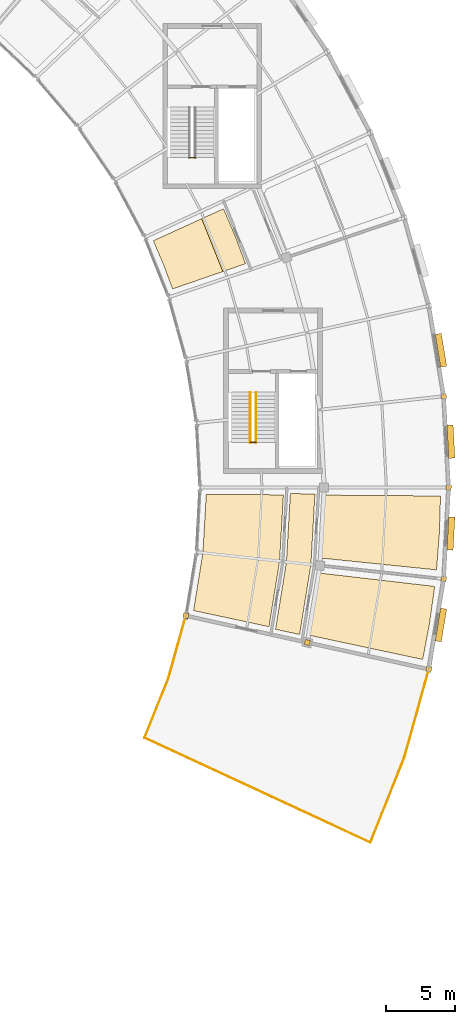
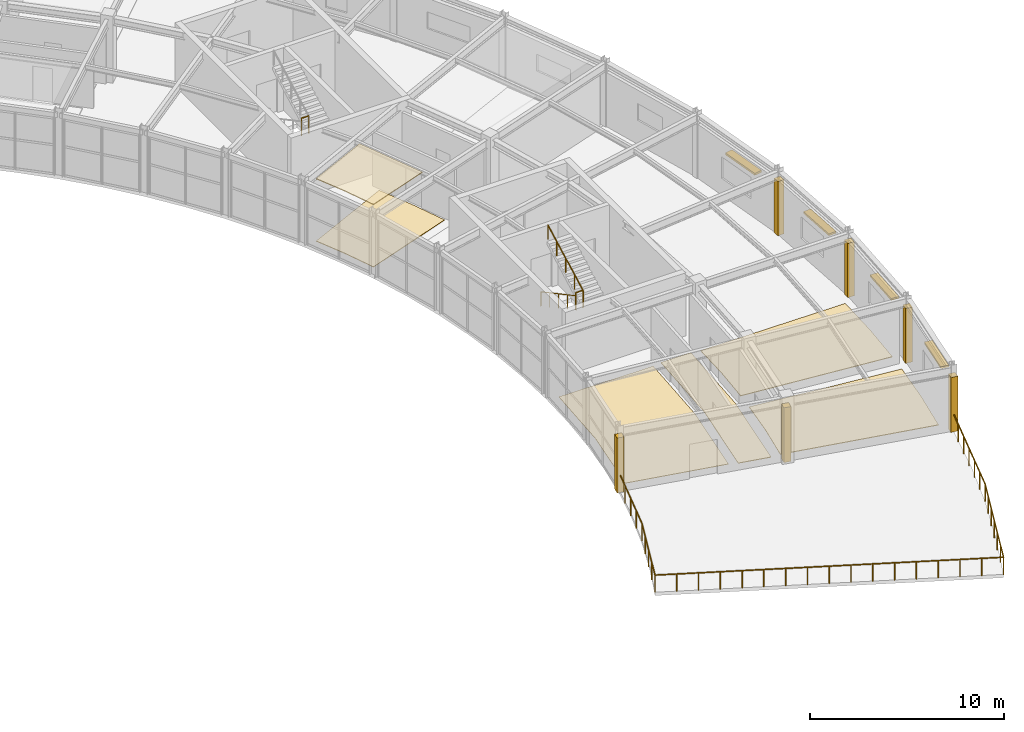
# One storey, part 62 of 63: 12 coverings, 9 railings, 4 shading devices.
"""IFC4 building model written with IfcOpenShell, lengths in metres."""

from ifc_helpers import new_model, si_unit, direction, frame, origin, origin_2d, place, context, subcontext, project, spatial, polyline, rectangle, circle, outline, extrude, material, layer, layer_set, type_object, element, save


model = new_model("IFC4")

# Units and contexts
model_context = context("Model", 3, precision=1e-05, world=origin(), true_north=direction((0.0, 1.0)))
body_context = subcontext(model_context, "Body", "Model", "MODEL_VIEW")
ifc_project = project(units=[si_unit("LENGTHUNIT", "METRE"), si_unit("AREAUNIT", "SQUARE_METRE"), si_unit("VOLUMEUNIT", "CUBIC_METRE"), si_unit("PLANEANGLEUNIT", "RADIAN"), si_unit("MASSUNIT", "GRAM", prefix="KILO")], contexts=[model_context])

# Site, building, storey
site_placement = place(None, origin())
site = spatial("IfcSite", under=ifc_project, at=site_placement, CompositionType="ELEMENT")
building_placement = place(site_placement, origin())
building = spatial("IfcBuilding", under=site, at=building_placement, Name="Tarnveldt Headland Concert Hall", CompositionType="ELEMENT")
storey_placement = place(building_placement, frame((0.0, 0.0, 14.39990234375)))
storey = spatial("IfcBuildingStorey", under=building, at=storey_placement, Name="L03", CompositionType="ELEMENT", Elevation=14.39990234375)

# Coverings
ifc_material_1 = material(Name="Micro-perforated mvule acoustic ceiling panel", Category="timber")
ifc_layer_1 = layer(ifc_material_1, 0.050048828125, Name="Micro-perforated mvule acoustic ceiling panel", Category="timber")
ifc_layer_set_1 = layer_set([ifc_layer_1], Name="Micro-perforated mvule acoustic ceiling panel")
covering_type_1 = type_object("IfcCoveringType", Name="CV-CEIL50", PredefinedType="CEILING", material=ifc_layer_set_1)
covering_1_placement = place(storey_placement, frame((0.0, 0.0, 3.91015625)))
element("IfcCovering", 1, at=covering_1_placement, inside=storey, type_object=covering_type_1, Name="Acoustic mvule ceiling L03-24-318", PredefinedType="CEILING", context=body_context, shape_type="SweptSolid", body=[
    extrude(outline(polyline([(157.87841796875, 76.12744140625), (157.875244140625, 76.13525390625), (157.139404296875, 77.857666015625), (160.63720703125, 79.450927734375), (162.16455078125, 75.627685546875), (158.531982421875, 74.372314453125), (157.87841796875, 76.12744140625)])), origin(), (0.0, 0.0, 1.0), 0.050048828125),
])
ifc_material_2 = material(Name="Treated East African mvule hardwood", Category="wood")
ifc_layer_2 = layer(ifc_material_2, 0.028076171875, Name="Treated East African mvule hardwood", Category="wood")
ifc_layer_set_2 = layer_set([ifc_layer_2], Name="Treated East African mvule hardwood")
covering_type_2 = type_object("IfcCoveringType", Name="CV-FLOR28", PredefinedType="FLOORING", material=ifc_layer_set_2)
covering_2_placement = place(storey_placement, origin())
element("IfcCovering", 2, at=covering_2_placement, inside=storey, type_object=covering_type_2, Name="Architectural flooring L03-23-109", PredefinedType="FLOORING", context=body_context, shape_type="SweptSolid", body=[
    extrude(outline(polyline([(160.0517578125, 51.10498046875), (160.72265625, 55.2783203125), (160.724609375, 55.29638671875), (160.96875, 59.5166015625), (166.548095703125, 59.4775390625), (166.270751953125, 54.6826171875), (165.50830078125, 49.940673828125), (160.0517578125, 51.10498046875)])), origin(), (0.0, 0.0, 1.0), 0.028076171875),
])
ifc_material_3 = material(Name="Polished coral-aggregate cementitious terrazzo flooring", Category="concrete")
ifc_layer_3 = layer(ifc_material_3, 0.034912109375, Name="Polished coral-aggregate cementitious terrazzo flooring", Category="concrete")
ifc_layer_set_3 = layer_set([ifc_layer_3], Name="Polished coral-aggregate cementitious terrazzo flooring")
covering_type_3 = type_object("IfcCoveringType", Name="CV-FLOR35", PredefinedType="FLOORING", material=ifc_layer_set_3)
covering_3_placement = place(storey_placement, origin())
element("IfcCovering", 3, at=covering_3_placement, inside=storey, type_object=covering_type_3, Name="Architectural flooring L03-20-107", PredefinedType="FLOORING", context=body_context, shape_type="SweptSolid", body=[
    extrude(outline(polyline([(165.97998046875, 49.751708984375), (166.766845703125, 54.619384765625), (166.768798828125, 54.6376953125), (167.04931640625, 59.560546875), (168.828857421875, 59.55126953125), (168.537353515625, 54.435546875), (167.719482421875, 49.377197265625), (165.97998046875, 49.751708984375)])), origin(), (0.0, 0.0, 1.0), 0.03515625),
])
covering_4_placement = place(storey_placement, origin())
element("IfcCovering", 4, at=covering_4_placement, inside=storey, type_object=covering_type_3, Name="Architectural flooring L03-24-110", PredefinedType="FLOORING", context=body_context, shape_type="SweptSolid", body=[
    extrude(outline(polyline([(158.531982421875, 74.372314453125), (157.87841796875, 76.12744140625), (157.875244140625, 76.13525390625), (157.139404296875, 77.857666015625), (162.21728515625, 80.170654296875), (163.05859375, 78.20166015625), (163.8056640625, 76.195068359375), (158.531982421875, 74.372314453125)])), origin(), (0.0, 0.0, 1.0), 0.03515625),
])
covering_5_placement = place(storey_placement, origin())
element("IfcCovering", 5, at=covering_5_placement, inside=storey, type_object=covering_type_3, Name="Architectural flooring L03-26-112", PredefinedType="FLOORING", context=body_context, shape_type="SweptSolid", body=[
    extrude(outline(polyline([(168.251708984375, 49.355224609375), (168.672607421875, 51.585205078125), (168.674072265625, 51.593505859375), (168.989013671875, 53.841064453125), (177.491943359375, 52.85400390625), (177.1201171875, 50.201171875), (176.623291015625, 47.569091796875), (168.251708984375, 49.355224609375)])), origin(), (0.0, 0.0, 1.0), 0.03515625),
])
covering_6_placement = place(storey_placement, origin())
element("IfcCovering", 6, at=covering_6_placement, inside=storey, type_object=covering_type_3, Name="Architectural flooring L03-27-113", PredefinedType="FLOORING", context=body_context, shape_type="SweptSolid", body=[
    extrude(outline(polyline([(169.1064453125, 54.918701171875), (169.283203125, 57.18115234375), (169.28369140625, 57.189697265625), (169.353271484375, 59.4580078125), (177.912841796875, 59.398193359375), (177.830810546875, 56.720947265625), (177.622314453125, 54.05029296875), (169.1064453125, 54.918701171875)])), origin(), (0.0, 0.0, 1.0), 0.03515625),
])
ifc_material_4 = material(Name="Coral-toned precast concrete C40/50", Category="concrete")
ifc_layer_4 = layer(ifc_material_4, 0.360107421875, Name="Coral-toned precast concrete C40/50", Category="concrete")
ifc_layer_set_4 = layer_set([ifc_layer_4], Name="Coral-toned precast concrete C40/50")
covering_type_4 = type_object("IfcCoveringType", Name="CV-JNT360", PredefinedType="CLADDING", material=ifc_layer_set_4)
for number, where, z_axis, x_axis, name in (
    (7, (159.48974609375, 50.73388671875, 0.0), (0.0, 0.0, 1.0), (-0.976522126798, 0.215417120661, 0.0), "Precast facade joint closure pilaster L03-321"),
    (8, (168.2783203125, 48.79443359375, 0.0), (0.0, 0.0, 1.0), (-0.976522126798, 0.215417120661, 0.0), "Precast facade joint closure pilaster L03-324"),
    (9, (177.06689453125, 46.85498046875, 0.0), (0.0, 0.0, 1.0), (-0.162120515372, -0.986770965572, 0.0), "Precast facade joint closure pilaster L03-328"),
    (10, (178.140625, 53.388427734375, 0.0), (0.0, 0.0, 1.0), (-0.162120515372, -0.986770965572, 0.0), "Precast facade joint closure pilaster L03-330"),
):
    element("IfcCovering", number, at=place(storey_placement, frame(where, z_axis=z_axis, x_axis=x_axis)), inside=storey, type_object=covering_type_4, Name=name, PredefinedType="CLADDING", context=body_context, shape_type="SweptSolid", body=[
        extrude(rectangle(XDim=0.3798828125, YDim=0.3798828125, at=origin_2d()), origin(), (0.0, 0.0, 1.0), 3.443115234375),
    ])
for number, where, z_axis, x_axis, name in (
    (11, (178.140625, 66.611572265625, 0.000244140625), (0.0, 0.0, 1.0), (0.054253089686, -0.998527216584, 0.0), "Precast facade joint closure pilaster L03-331"),
    (12, (178.5, 60.0, 0.000244140625), (0.0, 0.0, 1.0), (-0.054253089686, -0.998527216584, 0.0), "Precast facade joint closure pilaster L03-332"),
):
    element("IfcCovering", number, at=place(storey_placement, frame(where, z_axis=z_axis, x_axis=x_axis)), inside=storey, type_object=covering_type_4, Name=name, PredefinedType="CLADDING", context=body_context, shape_type="SweptSolid", body=[
        extrude(rectangle(XDim=0.3798828125, YDim=0.3798828125, at=origin_2d()), origin(), (0.0, 0.0, 1.0), 3.39794921875),
    ])

# Railings
ifc_material_5 = material(Name="Marine stainless steel", Category="steel")
ifc_layer_5 = layer(ifc_material_5, 0.074951171875, Name="Marine stainless steel", Category="steel")
ifc_layer_set_5 = layer_set([ifc_layer_5], Name="Marine stainless steel")
railing_type_1 = type_object("IfcRailingType", Name="RL-BAL110", PredefinedType="BALUSTRADE", material=ifc_layer_set_5)
railing_1_placement = place(storey_placement, frame((156.50634765625, 41.903076171875, 0.0)))
element("IfcRailing", 13, at=railing_1_placement, inside=storey, type_object=railing_type_1, Name="GUARD Crescent terrace south balustrade L03", PredefinedType="BALUSTRADE", context=body_context, shape_type="SweptSolid", body=[
    extrude(circle(Radius=0.02392578125, at=origin_2d()), frame((0.0, 0.0, 1.076171875), z_axis=(0.907122350777, -0.42086701073, 0.0), x_axis=(0.42086701073, 0.907122350777, 0.0)), (0.0, 0.0, 1.0), 18.000244140625),
    extrude(circle(Radius=0.02099609375, at=origin_2d()), origin(), (0.0, 0.0, 1.0), 1.052001953125),
    extrude(circle(Radius=0.02099609375, at=origin_2d()), frame((1.0205078125, -0.473388671875, 0.0)), (0.0, 0.0, 1.0), 1.052001953125),
    extrude(circle(Radius=0.02099609375, at=origin_2d()), frame((2.041015625, -0.947021484375, 0.0)), (0.0, 0.0, 1.0), 1.052001953125),
    extrude(circle(Radius=0.02099609375, at=origin_2d()), frame((3.0615234375, -1.42041015625, 0.0)), (0.0, 0.0, 1.0), 1.052001953125),
    extrude(circle(Radius=0.02099609375, at=origin_2d()), frame((4.08203125, -1.89404296875, 0.0)), (0.0, 0.0, 1.0), 1.052001953125),
    extrude(circle(Radius=0.02099609375, at=origin_2d()), frame((5.1025390625, -2.367431640625, 0.0)), (0.0, 0.0, 1.0), 1.052001953125),
    extrude(circle(Radius=0.02099609375, at=origin_2d()), frame((6.123046875, -2.8408203125, 0.0)), (0.0, 0.0, 1.0), 1.052001953125),
    extrude(circle(Radius=0.02099609375, at=origin_2d()), frame((7.1435546875, -3.314453125, 0.0)), (0.0, 0.0, 1.0), 1.052001953125),
    extrude(circle(Radius=0.02099609375, at=origin_2d()), frame((8.1640625, -3.787841796875, 0.0)), (0.0, 0.0, 1.0), 1.052001953125),
    extrude(circle(Radius=0.02099609375, at=origin_2d()), frame((9.184814453125, -4.26123046875, 0.0)), (0.0, 0.0, 1.0), 1.052001953125),
    extrude(circle(Radius=0.02099609375, at=origin_2d()), frame((10.205322265625, -4.73486328125, 0.0)), (0.0, 0.0, 1.0), 1.052001953125),
    extrude(circle(Radius=0.02099609375, at=origin_2d()), frame((11.225830078125, -5.208251953125, 0.0)), (0.0, 0.0, 1.0), 1.052001953125),
    extrude(circle(Radius=0.02099609375, at=origin_2d()), frame((12.246337890625, -5.681640625, 0.0)), (0.0, 0.0, 1.0), 1.052001953125),
    extrude(circle(Radius=0.02099609375, at=origin_2d()), frame((13.266845703125, -6.1552734375, 0.0)), (0.0, 0.0, 1.0), 1.052001953125),
    extrude(circle(Radius=0.02099609375, at=origin_2d()), frame((14.287353515625, -6.628662109375, 0.0)), (0.0, 0.0, 1.0), 1.052001953125),
    extrude(circle(Radius=0.02099609375, at=origin_2d()), frame((15.307861328125, -7.102294921875, 0.0)), (0.0, 0.0, 1.0), 1.052001953125),
    extrude(circle(Radius=0.02099609375, at=origin_2d()), frame((16.328369140625, -7.57568359375, 0.0)), (0.0, 0.0, 1.0), 1.052001953125),
])
railing_2_placement = place(storey_placement, frame((156.50634765625, 41.903076171875, 0.0)))
element("IfcRailing", 14, at=railing_2_placement, inside=storey, type_object=railing_type_1, Name="GUARD Crescent terrace inner balustrade L03-5", PredefinedType="BALUSTRADE", context=body_context, shape_type="SweptSolid", body=[
    extrude(circle(Radius=0.02392578125, at=origin_2d()), frame((0.0, 0.0, 1.076171875), z_axis=(0.371020883216, 0.928624522731, 0.0), x_axis=(-0.928624522731, 0.371020883216, 0.0)), (0.0, 0.0, 1.0), 4.66748046875),
    extrude(circle(Radius=0.02099609375, at=origin_2d()), origin(), (0.0, 0.0, 1.0), 1.052001953125),
    extrude(circle(Radius=0.02099609375, at=origin_2d()), frame((0.432861328125, 1.08349609375, 0.0)), (0.0, 0.0, 1.0), 1.052001953125),
    extrude(circle(Radius=0.02099609375, at=origin_2d()), frame((0.86572265625, 2.1669921875, 0.0)), (0.0, 0.0, 1.0), 1.052001953125),
    extrude(circle(Radius=0.02099609375, at=origin_2d()), frame((1.298828125, 3.250732421875, 0.0)), (0.0, 0.0, 1.0), 1.052001953125),
    extrude(circle(Radius=0.02099609375, at=origin_2d()), frame((1.731689453125, 4.334228515625, 0.0)), (0.0, 0.0, 1.0), 1.052001953125),
])
railing_3_placement = place(storey_placement, frame((172.834716796875, 34.327392578125, 0.0)))
element("IfcRailing", 15, at=railing_3_placement, inside=storey, type_object=railing_type_1, Name="GUARD Crescent terrace outer balustrade L03-5", PredefinedType="BALUSTRADE", context=body_context, shape_type="SweptSolid", body=[
    extrude(circle(Radius=0.02392578125, at=origin_2d()), frame((0.0, 0.0, 1.076171875), z_axis=(0.370996504082, 0.928634262753, 0.0), x_axis=(-0.928634262753, 0.370996504082, 0.0)), (0.0, 0.0, 1.0), 6.62158203125),
    extrude(circle(Radius=0.02099609375, at=origin_2d()), origin(), (0.0, 0.0, 1.0), 1.052001953125),
    extrude(circle(Radius=0.02099609375, at=origin_2d()), frame((0.409423828125, 1.02490234375, 0.0)), (0.0, 0.0, 1.0), 1.052001953125),
    extrude(circle(Radius=0.02099609375, at=origin_2d()), frame((0.81884765625, 2.049560546875, 0.0)), (0.0, 0.0, 1.0), 1.052001953125),
    extrude(circle(Radius=0.02099609375, at=origin_2d()), frame((1.228271484375, 3.074462890625, 0.0)), (0.0, 0.0, 1.0), 1.052001953125),
    extrude(circle(Radius=0.02099609375, at=origin_2d()), frame((1.6376953125, 4.099365234375, 0.0)), (0.0, 0.0, 1.0), 1.052001953125),
    extrude(circle(Radius=0.02099609375, at=origin_2d()), frame((2.047119140625, 5.1240234375, 0.0)), (0.0, 0.0, 1.0), 1.052001953125),
    extrude(circle(Radius=0.02099609375, at=origin_2d()), frame((2.45654296875, 6.14892578125, 0.0)), (0.0, 0.0, 1.0), 1.052001953125),
])
railing_4_placement = place(storey_placement, frame((158.238037109375, 46.2373046875, 0.0)))
element("IfcRailing", 16, at=railing_4_placement, inside=storey, type_object=railing_type_1, Name="GUARD Crescent terrace inner balustrade L03-6", PredefinedType="BALUSTRADE", context=body_context, shape_type="SweptSolid", body=[
    extrude(circle(Radius=0.02392578125, at=origin_2d()), frame((0.0, 0.0, 1.076171875), z_axis=(0.268172578135, 0.963370888255, 0.0), x_axis=(-0.963370888255, 0.268172578135, 0.0)), (0.0, 0.0, 1.0), 4.66748046875),
    extrude(circle(Radius=0.02099609375, at=origin_2d()), origin(), (0.0, 0.0, 1.0), 1.052001953125),
    extrude(circle(Radius=0.02099609375, at=origin_2d()), frame((0.31298828125, 1.1240234375, 0.0)), (0.0, 0.0, 1.0), 1.052001953125),
    extrude(circle(Radius=0.02099609375, at=origin_2d()), frame((0.6259765625, 2.248291015625, 0.0)), (0.0, 0.0, 1.0), 1.052001953125),
    extrude(circle(Radius=0.02099609375, at=origin_2d()), frame((0.938720703125, 3.37255859375, 0.0)), (0.0, 0.0, 1.0), 1.052001953125),
    extrude(circle(Radius=0.02099609375, at=origin_2d()), frame((1.251708984375, 4.49658203125, 0.0)), (0.0, 0.0, 1.0), 1.052001953125),
])
railing_5_placement = place(storey_placement, frame((175.291259765625, 40.476318359375, 0.0)))
element("IfcRailing", 17, at=railing_5_placement, inside=storey, type_object=railing_type_1, Name="GUARD Crescent terrace outer balustrade L03-6", PredefinedType="BALUSTRADE", context=body_context, shape_type="SweptSolid", body=[
    extrude(circle(Radius=0.02392578125, at=origin_2d()), frame((0.0, 0.0, 1.076171875), z_axis=(0.268174408275, 0.963370378798, 0.0), x_axis=(-0.963370378798, 0.268174408275, 0.0)), (0.0, 0.0, 1.0), 6.62109375),
    extrude(circle(Radius=0.02099609375, at=origin_2d()), origin(), (0.0, 0.0, 1.0), 1.052001953125),
    extrude(circle(Radius=0.02099609375, at=origin_2d()), frame((0.2958984375, 1.06298828125, 0.0)), (0.0, 0.0, 1.0), 1.052001953125),
    extrude(circle(Radius=0.02099609375, at=origin_2d()), frame((0.591796875, 2.126220703125, 0.0)), (0.0, 0.0, 1.0), 1.052001953125),
    extrude(circle(Radius=0.02099609375, at=origin_2d()), frame((0.8876953125, 3.189453125, 0.0)), (0.0, 0.0, 1.0), 1.052001953125),
    extrude(circle(Radius=0.02099609375, at=origin_2d()), frame((1.183837890625, 4.25244140625, 0.0)), (0.0, 0.0, 1.0), 1.052001953125),
    extrude(circle(Radius=0.02099609375, at=origin_2d()), frame((1.479736328125, 5.3154296875, 0.0)), (0.0, 0.0, 1.0), 1.052001953125),
    extrude(circle(Radius=0.02099609375, at=origin_2d()), frame((1.775634765625, 6.378662109375, 0.0)), (0.0, 0.0, 1.0), 1.052001953125),
])
ifc_layer_6 = layer(ifc_material_5, 0.06005859375, Name="Marine stainless steel", Category="steel")
ifc_layer_set_6 = layer_set([ifc_layer_6], Name="Marine stainless steel")
railing_type_2 = type_object("IfcRailingType", Name="RL-GRD110", PredefinedType="GUARDRAIL", material=ifc_layer_set_6)
railing_6_placement = place(storey_placement, frame((159.75, 83.8798828125, 2.10009765625)))
element("IfcRailing", 18, at=railing_6_placement, inside=storey, type_object=railing_type_2, Name="GUARD STR-C3-L03 half-landing well", PredefinedType="GUARDRAIL", context=body_context, shape_type="SweptSolid", body=[
    extrude(circle(Radius=0.02392578125, at=origin_2d()), frame((0.0, 0.0, 1.076171875), z_axis=(1.0, 0.0, 0.0), x_axis=(0.0, 1.0, 0.0)), (0.0, 0.0, 1.0), 0.419921875),
    extrude(circle(Radius=0.02099609375, at=origin_2d()), origin(), (0.0, 0.0, 1.0), 1.052001953125),
    extrude(circle(Radius=0.02099609375, at=origin_2d()), frame((0.419921875, 0.0, 0.0)), (0.0, 0.0, 1.0), 1.052001953125),
])
railing_7_placement = place(storey_placement, frame((164.14990234375, 63.280029296875, 2.10009765625)))
element("IfcRailing", 19, at=railing_7_placement, inside=storey, type_object=railing_type_2, Name="GUARD STR-C4-L03 half-landing well", PredefinedType="GUARDRAIL", context=body_context, shape_type="SweptSolid", body=[
    extrude(circle(Radius=0.02392578125, at=origin_2d()), frame((0.0, 0.0, 1.076171875), z_axis=(1.0, 0.0, 0.0), x_axis=(0.0, 1.0, 0.0)), (0.0, 0.0, 1.0), 0.420166015625),
    extrude(circle(Radius=0.02099609375, at=origin_2d()), origin(), (0.0, 0.0, 1.0), 1.052001953125),
    extrude(circle(Radius=0.02099609375, at=origin_2d()), frame((0.420166015625, 0.0, 0.0)), (0.0, 0.0, 1.0), 1.052001953125),
])
ifc_layer_7 = layer(ifc_material_5, 0.048095703125, Name="Marine stainless steel", Category="steel")
ifc_layer_set_7 = layer_set([ifc_layer_7], Name="Marine stainless steel")
railing_type_3 = type_object("IfcRailingType", Name="RL-HND092", PredefinedType="HANDRAIL", material=ifc_layer_set_7)
railing_8_placement = place(storey_placement, frame((164.14990234375, 66.8798828125, 0.150146484375)))
element("IfcRailing", 20, at=railing_8_placement, inside=storey, type_object=railing_type_3, Name="HANDRAIL STR-C4-L03 flight 1", PredefinedType="HANDRAIL", context=body_context, shape_type="SweptSolid", body=[
    extrude(circle(Radius=0.02392578125, at=origin_2d()), frame((0.0, 0.0, 0.89599609375), z_axis=(0.0, -0.881479091078, 0.472223053219), x_axis=(1.0, 0.0, 0.0)), (0.0, 0.0, 1.0), 4.12939453125),
    extrude(circle(Radius=0.02099609375, at=origin_2d()), origin(), (0.0, 0.0, 1.0), 0.871826171875),
    extrude(circle(Radius=0.02099609375, at=origin_2d()), frame((0.0, -0.909912109375, 0.487548828125)), (0.0, 0.0, 1.0), 0.871826171875),
    extrude(circle(Radius=0.02099609375, at=origin_2d()), frame((0.0, -1.81982421875, 0.97509765625)), (0.0, 0.0, 1.0), 0.871826171875),
    extrude(circle(Radius=0.02099609375, at=origin_2d()), frame((0.0, -2.72998046875, 1.46240234375)), (0.0, 0.0, 1.0), 0.871826171875),
    extrude(circle(Radius=0.02099609375, at=origin_2d()), frame((0.0, -3.639892578125, 1.949951171875)), (0.0, 0.0, 1.0), 0.871826171875),
])
railing_9_placement = place(storey_placement, frame((164.570068359375, 63.239990234375, 2.25)))
element("IfcRailing", 21, at=railing_9_placement, inside=storey, type_object=railing_type_3, Name="HANDRAIL STR-C4-L03 flight 2", PredefinedType="HANDRAIL", context=body_context, shape_type="SweptSolid", body=[
    extrude(circle(Radius=0.02392578125, at=origin_2d()), frame((0.0, 0.0, 0.89599609375), z_axis=(0.0, 0.88145447994, 0.472268990929), x_axis=(-1.0, 0.0, 0.0)), (0.0, 0.0, 1.0), 4.12939453125),
    extrude(circle(Radius=0.02099609375, at=origin_2d()), origin(), (0.0, 0.0, 1.0), 0.871826171875),
    extrude(circle(Radius=0.02099609375, at=origin_2d()), frame((0.0, 0.909912109375, 0.487548828125)), (0.0, 0.0, 1.0), 0.871826171875),
    extrude(circle(Radius=0.02099609375, at=origin_2d()), frame((0.0, 1.81982421875, 0.97509765625)), (0.0, 0.0, 1.0), 0.871826171875),
    extrude(circle(Radius=0.02099609375, at=origin_2d()), frame((0.0, 2.72998046875, 1.462646484375)), (0.0, 0.0, 1.0), 0.871826171875),
    extrude(circle(Radius=0.02099609375, at=origin_2d()), frame((0.0, 3.639892578125, 1.9501953125)), (0.0, 0.0, 1.0), 0.871826171875),
])

# Shading devices
ifc_material_6 = material(Name="Terracotta-anodised aluminium EN AW-6063-T6", Category="masonry")
shading_device_type = type_object("IfcShadingDeviceType", Name="SD-LVR450", PredefinedType="USERDEFINED", material=ifc_material_6)
for number, where, z_axis, x_axis, name in (
    (22, (177.944091796875, 50.065673828125, 2.419921875), (0.0, 0.0, 1.0), (0.986770965572, -0.162120515372, 0.0), "Crescent coastal solar louvre L03-8"),
    (23, (178.664794921875, 56.675537109375, 2.419921875), (0.0, 0.0, 1.0), (0.998527216584, -0.054253089686, 0.0), "Crescent coastal solar louvre L03-9"),
    (24, (178.664794921875, 63.324462890625, 2.419921875), (0.0, 0.0, 1.0), (0.998527216584, 0.054253089686, 0.0), "Crescent coastal solar louvre L03-10"),
    (25, (177.944091796875, 69.934326171875, 2.419921875), (0.0, 0.0, 1.0), (0.986770965572, 0.162120515372, 0.0), "Crescent coastal solar louvre L03-11"),
):
    element("IfcShadingDevice", number, at=place(storey_placement, frame(where, z_axis=z_axis, x_axis=x_axis)), inside=storey, type_object=shading_device_type, Name=name, ObjectType="LOUVRE", PredefinedType="USERDEFINED", context=body_context, shape_type="SweptSolid", body=[
        extrude(rectangle(XDim=0.449951171875, YDim=2.39990234375, at=origin_2d()), origin(), (0.0, 0.0, 1.0), 0.1201171875),
    ])

save(model, "model.ifc")
